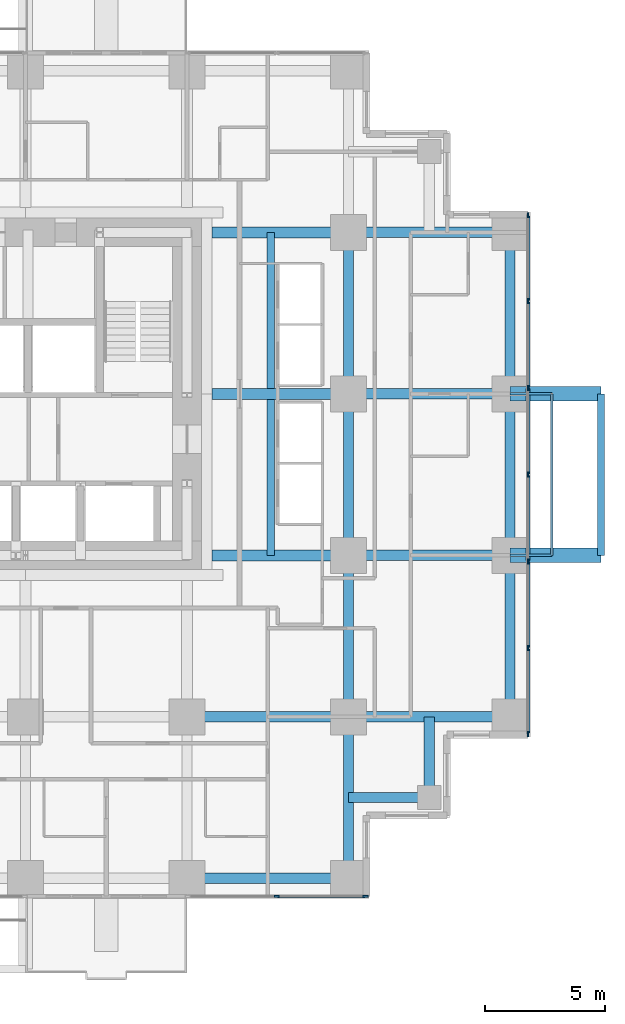
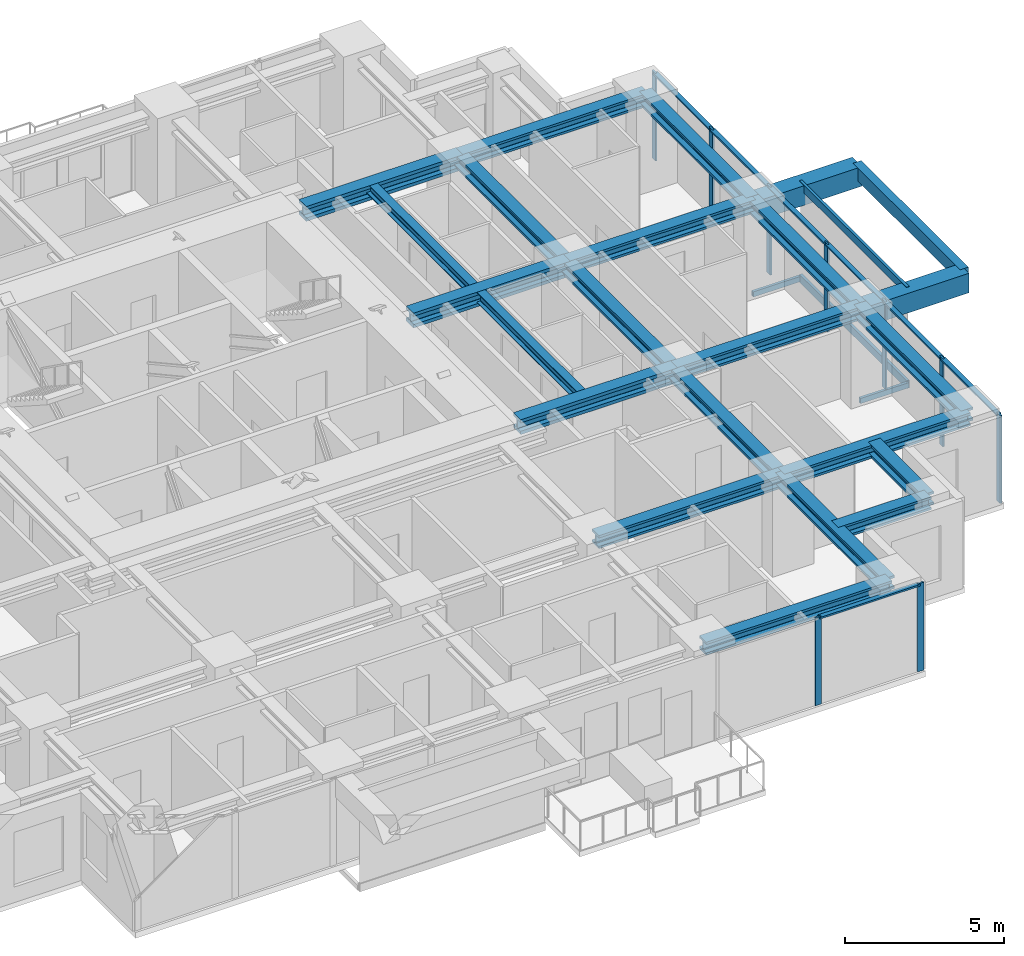
# One storey, part 4 of 12: 23 beams, 20 members, 2 elements without a shape of their own.
"""IFC4 building model written with IfcOpenShell, lengths in metres."""

from ifc_helpers import new_model, si_unit, direction, frame, origin, origin_2d, place, context, subcontext, project, spatial, rectangle, hollow_rectangle, i_section, extrude, material, material_profile, profile_set, type_object, element, aggregate, save


model = new_model("IFC4")

# Units and contexts
model_context = context("Model", 3, precision=1e-05, world=origin(), true_north=direction((0.0, 1.0)))
body_context = subcontext(model_context, "Body", "Model", "MODEL_VIEW")
ifc_project = project(units=[si_unit("LENGTHUNIT", "METRE"), si_unit("AREAUNIT", "SQUARE_METRE"), si_unit("VOLUMEUNIT", "CUBIC_METRE"), si_unit("PLANEANGLEUNIT", "RADIAN"), si_unit("MASSUNIT", "GRAM", prefix="KILO")], contexts=[model_context])

# Site, building, storey
site_placement = place(None, origin())
site = spatial("IfcSite", under=ifc_project, at=site_placement, CompositionType="ELEMENT")
building_placement = place(site_placement, origin())
building = spatial("IfcBuilding", under=site, at=building_placement, Name="Nyansa Garden Tower", CompositionType="ELEMENT")
storey_placement = place(building_placement, frame((0.0, 0.0, 112.5)))
storey = spatial("IfcBuildingStorey", under=building, at=storey_placement, Name="L30", CompositionType="ELEMENT", Elevation=112.5)

# Beams
ifc_material_1 = material(Name="Concrete C70/85", Category="concrete")
ifc_material_profile_1 = material_profile(ifc_material_1, rectangle(XDim=0.60009765625, YDim=0.75, at=origin_2d()), Name="RC 600x750")
ifc_profile_set_1 = profile_set([ifc_material_profile_1], Name="Concrete C70/85")
beam_type_1 = type_object("IfcBeamType", Name="Balcony cantilever beam CB1 RC 600x750", PredefinedType="BEAM", material=ifc_profile_set_1)
for number, where, z_axis, x_axis, name in (
    (1, (40.5, 13.5, 2.985107421875), (1.0, 0.0, 0.0), (0.0, 1.0, 0.0), "Balcony cantilever beam L31"),
    (2, (40.5, 20.25, 2.985107421875), (1.0, 0.0, 0.0), (0.0, 1.0, 0.0), "Balcony cantilever beam L31"),
):
    element("IfcBeam", number, at=place(storey_placement, frame(where, z_axis=z_axis, x_axis=x_axis)), inside=storey, type_object=beam_type_1, Name=name, PredefinedType="BEAM", context=body_context, shape_type="SweptSolid", body=[
        extrude(rectangle(XDim=0.60009765625, YDim=0.75, at=origin_2d()), origin(), (0.0, 0.0, 1.0), 3.800048828125),
    ])
ifc_material_2 = material(Name="Concrete C70/85", Category="concrete")
ifc_material_profile_2 = material_profile(ifc_material_2, rectangle(XDim=0.300048828125, YDim=0.5, at=origin_2d()), Name="RC 300x500")
ifc_profile_set_2 = profile_set([ifc_material_profile_2], Name="Concrete C70/85")
beam_type_2 = type_object("IfcBeamType", Name="Balcony edge beam BE1 RC 300x500", PredefinedType="BEAM", material=ifc_profile_set_2)
beam_placement = place(storey_placement, frame((44.300048828125, 13.5, 3.110107421875), z_axis=(0.0, 1.0, 0.0), x_axis=(-1.0, 0.0, 0.0)))
element("IfcBeam", 3, at=beam_placement, inside=storey, type_object=beam_type_2, Name="Balcony edge beam L31", PredefinedType="BEAM", context=body_context, shape_type="SweptSolid", body=[
    extrude(rectangle(XDim=0.300048828125, YDim=0.5, at=origin_2d()), origin(), (0.0, 0.0, 1.0), 6.75),
])

# Curtain wall, members
ifc_material_3 = material(Name="Black anodised aluminium, dark tinted double glazing", Category="aluminium")
curtain_wall_type = type_object("IfcCurtainWallType", Name="Inner skin curtain wall ISW-B", PredefinedType="USERDEFINED", material=ifc_material_3)
curtain_wall_1_placement = place(storey_placement, origin())
curtain_wall_1 = element("IfcCurtainWall", 4, at=curtain_wall_1_placement, inside=storey, type_object=curtain_wall_type, Name="Inner skin curtain wall L30 E", ObjectType="UNITISED CURTAIN WALL", PredefinedType="USERDEFINED")
ifc_material_4 = material(Name="Black anodised aluminium", Category="aluminium")
ifc_material_profile_3 = material_profile(ifc_material_4, rectangle(XDim=0.06494140625, YDim=0.22509765625, at=origin_2d()), Name="Mullion 225x65")
ifc_profile_set_3 = profile_set([ifc_material_profile_3], Name="Black anodised aluminium")
member_type_1 = type_object("IfcMemberType", Name="Mullion ISW-B 225x65", PredefinedType="MULLION", material=ifc_profile_set_3)
member_1_placement = place(storey_placement, frame((41.25, 6.032470703125, 0.0), z_axis=(0.0, 0.0, 1.0), x_axis=(-1.0, 0.0, 0.0)))
member_1 = element("IfcMember", 5, at=member_1_placement, type_object=member_type_1, Name="ISW-B mullion 1", PredefinedType="MULLION", context=body_context, shape_type="SweptSolid", body=[
    extrude(rectangle(XDim=0.06494140625, YDim=0.22509765625, at=origin_2d()), origin(), (0.0, 0.0, 1.0), 3.375),
])
member_2_placement = place(storey_placement, frame((41.25, 9.625, 0.0), z_axis=(0.0, 0.0, 1.0), x_axis=(-1.0, 0.0, 0.0)))
member_2 = element("IfcMember", 6, at=member_2_placement, type_object=member_type_1, Name="ISW-B mullion 2", PredefinedType="MULLION", context=body_context, shape_type="SweptSolid", body=[
    extrude(rectangle(XDim=0.06494140625, YDim=0.22509765625, at=origin_2d()), origin(), (0.0, 0.0, 1.0), 3.375),
])
member_3_placement = place(storey_placement, frame((41.25, 13.25, 0.0), z_axis=(0.0, 0.0, 1.0), x_axis=(-1.0, 0.0, 0.0)))
member_3 = element("IfcMember", 7, at=member_3_placement, type_object=member_type_1, Name="ISW-B mullion 3", PredefinedType="MULLION", context=body_context, shape_type="SweptSolid", body=[
    extrude(rectangle(XDim=0.06494140625, YDim=0.22509765625, at=origin_2d()), origin(), (0.0, 0.0, 1.0), 3.375),
])
member_4_placement = place(storey_placement, frame((41.25, 16.875, 0.0), z_axis=(0.0, 0.0, 1.0), x_axis=(-1.0, 0.0, 0.0)))
member_4 = element("IfcMember", 8, at=member_4_placement, type_object=member_type_1, Name="ISW-B mullion 4", PredefinedType="MULLION", context=body_context, shape_type="SweptSolid", body=[
    extrude(rectangle(XDim=0.06494140625, YDim=0.22509765625, at=origin_2d()), origin(), (0.0, 0.0, 1.0), 3.375),
])
member_5_placement = place(storey_placement, frame((41.25, 20.5, 0.0), z_axis=(0.0, 0.0, 1.0), x_axis=(-1.0, 0.0, 0.0)))
member_5 = element("IfcMember", 9, at=member_5_placement, type_object=member_type_1, Name="ISW-B mullion 5", PredefinedType="MULLION", context=body_context, shape_type="SweptSolid", body=[
    extrude(rectangle(XDim=0.06494140625, YDim=0.22509765625, at=origin_2d()), origin(), (0.0, 0.0, 1.0), 3.375),
])
member_6_placement = place(storey_placement, frame((41.25, 24.125, 0.0), z_axis=(0.0, 0.0, 1.0), x_axis=(-1.0, 0.0, 0.0)))
member_6 = element("IfcMember", 10, at=member_6_placement, type_object=member_type_1, Name="ISW-B mullion 6", PredefinedType="MULLION", context=body_context, shape_type="SweptSolid", body=[
    extrude(rectangle(XDim=0.06494140625, YDim=0.22509765625, at=origin_2d()), origin(), (0.0, 0.0, 1.0), 3.375),
])
member_7_placement = place(storey_placement, frame((41.25, 27.717529296875, 0.0), z_axis=(0.0, 0.0, 1.0), x_axis=(-1.0, 0.0, 0.0)))
member_7 = element("IfcMember", 11, at=member_7_placement, type_object=member_type_1, Name="ISW-B mullion 7", PredefinedType="MULLION", context=body_context, shape_type="SweptSolid", body=[
    extrude(rectangle(XDim=0.06494140625, YDim=0.22509765625, at=origin_2d()), origin(), (0.0, 0.0, 1.0), 3.375),
])

curtain_wall_2_placement = place(storey_placement, origin())
curtain_wall_2 = element("IfcCurtainWall", 12, at=curtain_wall_2_placement, inside=storey, type_object=curtain_wall_type, Name="Inner skin curtain wall L30 S", ObjectType="UNITISED CURTAIN WALL", PredefinedType="USERDEFINED")
member_8_placement = place(storey_placement, frame((30.75, -0.75, 0.0), z_axis=(0.0, 0.0, 1.0), x_axis=(0.0, 1.0, 0.0)))
member_8 = element("IfcMember", 13, at=member_8_placement, type_object=member_type_1, Name="ISW-B mullion 2", PredefinedType="MULLION", context=body_context, shape_type="SweptSolid", body=[
    extrude(rectangle(XDim=0.06494140625, YDim=0.22509765625, at=origin_2d()), origin(), (0.0, 0.0, 1.0), 3.375),
])
member_9_placement = place(storey_placement, frame((34.467529296875, -0.75, 0.0), z_axis=(0.0, 0.0, 1.0), x_axis=(0.0, 1.0, 0.0)))
member_9 = element("IfcMember", 14, at=member_9_placement, type_object=member_type_1, Name="ISW-B mullion 3", PredefinedType="MULLION", context=body_context, shape_type="SweptSolid", body=[
    extrude(rectangle(XDim=0.06494140625, YDim=0.22509765625, at=origin_2d()), origin(), (0.0, 0.0, 1.0), 3.375),
])

# Members
ifc_material_5 = material(Name="Steel S355, black powder coated", Category="steel")
ifc_material_profile_4 = material_profile(ifc_material_5, hollow_rectangle(XDim=0.10009765625, YDim=0.199951171875, WallThickness=0.008056640625, at=origin_2d()), Name="RHS 200x100x8")
ifc_profile_set_4 = profile_set([ifc_material_profile_4], Name="Steel S355, black powder coated")
member_type_2 = type_object("IfcMemberType", Name="Outer skin bracket arm RHS 200x100x8", PredefinedType="USERDEFINED", material=ifc_profile_set_4)
for number, where, z_axis, x_axis, name in (
    (15, (40.5, 13.5, -0.375), (1.0, 0.0, 0.0), (0.0, 1.0, 0.0), "Outer skin bracket arm"),
    (16, (40.5, 20.25, -0.375), (1.0, 0.0, 0.0), (0.0, 1.0, 0.0), "Outer skin bracket arm"),
):
    element("IfcMember", number, at=place(storey_placement, frame(where, z_axis=z_axis, x_axis=x_axis)), inside=storey, type_object=member_type_2, Name=name, ObjectType="OUTER SKIN BRACKET", PredefinedType="USERDEFINED", context=body_context, shape_type="SweptSolid", body=[
        extrude(hollow_rectangle(XDim=0.10009765625, YDim=0.199951171875, WallThickness=0.008056640625, at=origin_2d()), origin(), (0.0, 0.0, 1.0), 1.75),
    ])
ifc_material_6 = material(Name="Steel S355, black powder coated", Category="steel")
ifc_material_profile_5 = material_profile(ifc_material_6, hollow_rectangle(XDim=0.10009765625, YDim=0.300048828125, WallThickness=0.010009765625, at=origin_2d()), Name="RHS 300x100x10")
ifc_profile_set_5 = profile_set([ifc_material_profile_5], Name="Steel S355, black powder coated")
member_type_3 = type_object("IfcMemberType", Name="Outer skin rail RHS 300x100x10", PredefinedType="USERDEFINED", material=ifc_profile_set_5)
for number, where, z_axis, x_axis, name in (
    (17, (42.25, 13.5, -0.375), (0.0, 1.0, 0.0), (-1.0, 0.0, 0.0), "Outer skin rail L30"),
    (18, (42.25, 13.5, 3.22509765625), (0.0, 1.0, 0.0), (-1.0, 0.0, 0.0), "Outer skin rail L30 head"),
):
    element("IfcMember", number, at=place(storey_placement, frame(where, z_axis=z_axis, x_axis=x_axis)), inside=storey, type_object=member_type_3, Name=name, ObjectType="OUTER SKIN RAIL", PredefinedType="USERDEFINED", context=body_context, shape_type="SweptSolid", body=[
        extrude(hollow_rectangle(XDim=0.10009765625, YDim=0.300048828125, WallThickness=0.010009765625, at=origin_2d()), origin(), (0.0, 0.0, 1.0), 6.75),
    ])

# Beams
ifc_material_7 = material(Name="Steel S355", Category="steel")
ifc_material_profile_6 = material_profile(ifc_material_7, i_section(OverallWidth=0.431884765625, OverallDepth=0.498046875, WebThickness=0.0556640625, FlangeThickness=0.0888671875, FilletRadius=0.014892578125, at=origin_2d()), Name="HD 400x744")
ifc_profile_set_6 = profile_set([ifc_material_profile_6], Name="Steel S355")
beam_type_3 = type_object("IfcBeamType", Name="Steel beam SBB1-744 HD 400x744", PredefinedType="BEAM", material=ifc_profile_set_6)
for number, where, z_axis, x_axis, name in (
    (19, (27.0, 6.75, 3.1259765625), (1.0, 0.0, 0.0), (0.0, 1.0, 0.0), "Steel beam 6/E-7/E L31"),
    (20, (33.75, 0.0, 3.1259765625), (0.0, 1.0, 0.0), (-1.0, 0.0, 0.0), "Steel beam 7/D-7/E L31"),
    (21, (33.75, 6.75, 3.1259765625), (0.0, 1.0, 0.0), (-1.0, 0.0, 0.0), "Steel beam 7/E-7/F L31"),
    (22, (33.75, 6.75, 3.1259765625), (1.0, 0.0, 0.0), (0.0, 1.0, 0.0), "Steel beam 7/E-8/E L31"),
    (23, (33.75, 13.5, 3.1259765625), (0.0, 1.0, 0.0), (-1.0, 0.0, 0.0), "Steel beam 7/F-7/G L31"),
    (24, (33.75, 13.5, 3.1259765625), (1.0, 0.0, 0.0), (0.0, 1.0, 0.0), "Steel beam 7/F-8/F L31"),
    (25, (33.75, 20.25, 3.1259765625), (0.0, 1.0, 0.0), (-1.0, 0.0, 0.0), "Steel beam 7/G-7/H L31"),
    (26, (33.75, 20.25, 3.1259765625), (1.0, 0.0, 0.0), (0.0, 1.0, 0.0), "Steel beam 7/G-8/G L31"),
    (27, (33.75, 27.0, 3.1259765625), (1.0, 0.0, 0.0), (0.0, 1.0, 0.0), "Steel beam 7/H-8/H L31"),
):
    element("IfcBeam", number, at=place(storey_placement, frame(where, z_axis=z_axis, x_axis=x_axis)), inside=storey, type_object=beam_type_3, Name=name, PredefinedType="BEAM", context=body_context, shape_type="SweptSolid", body=[
        extrude(i_section(OverallWidth=0.431884765625, OverallDepth=0.498046875, WebThickness=0.0556640625, FlangeThickness=0.0888671875, FilletRadius=0.014892578125, at=origin_2d()), origin(), (0.0, 0.0, 1.0), 6.75),
    ])
ifc_material_8 = material(Name="Steel S355", Category="steel")
ifc_material_profile_7 = material_profile(ifc_material_8, i_section(OverallWidth=0.4541015625, OverallDepth=0.569091796875, WebThickness=0.077880859375, FlangeThickness=0.125, FilletRadius=0.014892578125, at=origin_2d()), Name="HD 400x1086")
ifc_profile_set_7 = profile_set([ifc_material_profile_7], Name="Steel S355")
beam_type_4 = type_object("IfcBeamType", Name="Steel beam SCL-1086 HD 400x1086", PredefinedType="BEAM", material=ifc_profile_set_7)
for number, where, z_axis, x_axis, name in (
    (28, (28.050048828125, 13.5, 3.090576171875), (1.0, 0.0, 0.0), (0.0, 1.0, 0.0), "Steel beam 28.050/F-7/F L31"),
    (29, (28.050048828125, 20.25, 3.090576171875), (1.0, 0.0, 0.0), (0.0, 1.0, 0.0), "Steel beam 28.050/G-7/G L31"),
    (30, (28.050048828125, 27.0, 3.090576171875), (1.0, 0.0, 0.0), (0.0, 1.0, 0.0), "Steel beam 28.050/H-7/H L31"),
):
    element("IfcBeam", number, at=place(storey_placement, frame(where, z_axis=z_axis, x_axis=x_axis)), inside=storey, type_object=beam_type_4, Name=name, PredefinedType="BEAM", context=body_context, shape_type="SweptSolid", body=[
        extrude(i_section(OverallWidth=0.4541015625, OverallDepth=0.569091796875, WebThickness=0.077880859375, FlangeThickness=0.125, FilletRadius=0.014892578125, at=origin_2d()), origin(), (0.0, 0.0, 1.0), 5.699951171875),
    ])
ifc_material_9 = material(Name="Steel S355", Category="steel")
ifc_material_profile_8 = material_profile(ifc_material_9, i_section(OverallWidth=0.431884765625, OverallDepth=0.498046875, WebThickness=0.0556640625, FlangeThickness=0.0888671875, FilletRadius=0.014892578125, at=origin_2d()), Name="HD 400x744")
ifc_profile_set_8 = profile_set([ifc_material_profile_8], Name="Steel S355")
beam_type_5 = type_object("IfcBeamType", Name="Steel beam SEBB-744 HD 400x744", PredefinedType="BEAM", material=ifc_profile_set_8)
for number, where, z_axis, x_axis, name in (
    (31, (27.0, 0.0, 3.1259765625), (1.0, 0.0, 0.0), (0.0, 1.0, 0.0), "Steel edge beam 6/D-7/D L31"),
    (32, (40.5, 6.75, 3.1259765625), (0.0, 1.0, 0.0), (-1.0, 0.0, 0.0), "Steel edge beam 8/E-8/F L31"),
    (33, (40.5, 13.5, 3.1259765625), (0.0, 1.0, 0.0), (-1.0, 0.0, 0.0), "Steel edge beam 8/F-8/G L31"),
    (34, (40.5, 20.25, 3.1259765625), (0.0, 1.0, 0.0), (-1.0, 0.0, 0.0), "Steel edge beam 8/G-8/H L31"),
):
    element("IfcBeam", number, at=place(storey_placement, frame(where, z_axis=z_axis, x_axis=x_axis)), inside=storey, type_object=beam_type_5, Name=name, PredefinedType="BEAM", context=body_context, shape_type="SweptSolid", body=[
        extrude(i_section(OverallWidth=0.431884765625, OverallDepth=0.498046875, WebThickness=0.0556640625, FlangeThickness=0.0888671875, FilletRadius=0.014892578125, at=origin_2d()), origin(), (0.0, 0.0, 1.0), 6.75),
    ])
ifc_material_10 = material(Name="Steel S355", Category="steel")
ifc_material_profile_9 = material_profile(ifc_material_10, i_section(OverallWidth=0.431884765625, OverallDepth=0.498046875, WebThickness=0.0556640625, FlangeThickness=0.0888671875, FilletRadius=0.014892578125, at=origin_2d()), Name="HD 400x744")
ifc_profile_set_9 = profile_set([ifc_material_profile_9], Name="Steel S355")
beam_type_6 = type_object("IfcBeamType", Name="Steel beam SSB1-744 HD 400x744", PredefinedType="BEAM", material=ifc_profile_set_9)
for number, where, z_axis, x_axis, name in (
    (35, (37.125, 3.375, 3.1259765625), (0.0, 1.0, 0.0), (-1.0, 0.0, 0.0), "Steel step beam 37.125/3.375 L31"),
    (36, (37.125, 3.375, 3.1259765625), (-1.0, 0.0, 0.0), (0.0, -1.0, 0.0), "Steel step beam 37.125/3.375 L31"),
):
    element("IfcBeam", number, at=place(storey_placement, frame(where, z_axis=z_axis, x_axis=x_axis)), inside=storey, type_object=beam_type_6, Name=name, PredefinedType="BEAM", context=body_context, shape_type="SweptSolid", body=[
        extrude(i_section(OverallWidth=0.431884765625, OverallDepth=0.498046875, WebThickness=0.0556640625, FlangeThickness=0.0888671875, FilletRadius=0.014892578125, at=origin_2d()), origin(), (0.0, 0.0, 1.0), 3.375),
    ])

# Member
ifc_material_11 = material(Name="Black anodised aluminium", Category="aluminium")
ifc_material_profile_10 = material_profile(ifc_material_11, rectangle(XDim=0.1650390625, YDim=0.06494140625, at=origin_2d()), Name="Transom 165x65")
ifc_profile_set_10 = profile_set([ifc_material_profile_10], Name="Black anodised aluminium")
member_type_4 = type_object("IfcMemberType", Name="Transom ISW-B 165x65", PredefinedType="USERDEFINED", material=ifc_profile_set_10)
member_10_placement = place(storey_placement, frame((41.25, 6.06494140625, 3.342529296875), z_axis=(0.0, 1.0, 0.0), x_axis=(-1.0, 0.0, 0.0)))
member_10 = element("IfcMember", 37, at=member_10_placement, type_object=member_type_4, Name="ISW-B transom 1", ObjectType="TRANSOM", PredefinedType="USERDEFINED", context=body_context, shape_type="SweptSolid", body=[
    extrude(rectangle(XDim=0.1650390625, YDim=0.06494140625, at=origin_2d()), origin(), (0.0, 0.0, 1.0), 3.527587890625),
])

member_11_placement = place(storey_placement, frame((41.25, 9.657470703125, 3.342529296875), z_axis=(0.0, 1.0, 0.0), x_axis=(-1.0, 0.0, 0.0)))
member_11 = element("IfcMember", 38, at=member_11_placement, type_object=member_type_4, Name="ISW-B transom 2", ObjectType="TRANSOM", PredefinedType="USERDEFINED", context=body_context, shape_type="SweptSolid", body=[
    extrude(rectangle(XDim=0.1650390625, YDim=0.06494140625, at=origin_2d()), origin(), (0.0, 0.0, 1.0), 3.56005859375),
])

member_12_placement = place(storey_placement, frame((41.25, 13.282470703125, 3.342529296875), z_axis=(0.0, 1.0, 0.0), x_axis=(-1.0, 0.0, 0.0)))
member_12 = element("IfcMember", 39, at=member_12_placement, type_object=member_type_4, Name="ISW-B transom 3", ObjectType="TRANSOM", PredefinedType="USERDEFINED", context=body_context, shape_type="SweptSolid", body=[
    extrude(rectangle(XDim=0.1650390625, YDim=0.06494140625, at=origin_2d()), origin(), (0.0, 0.0, 1.0), 3.56005859375),
])

member_13_placement = place(storey_placement, frame((41.25, 16.907470703125, 3.342529296875), z_axis=(0.0, 1.0, 0.0), x_axis=(-1.0, 0.0, 0.0)))
member_13 = element("IfcMember", 40, at=member_13_placement, type_object=member_type_4, Name="ISW-B transom 4", ObjectType="TRANSOM", PredefinedType="USERDEFINED", context=body_context, shape_type="SweptSolid", body=[
    extrude(rectangle(XDim=0.1650390625, YDim=0.06494140625, at=origin_2d()), origin(), (0.0, 0.0, 1.0), 3.56005859375),
])

member_14_placement = place(storey_placement, frame((41.25, 20.532470703125, 3.342529296875), z_axis=(0.0, 1.0, 0.0), x_axis=(-1.0, 0.0, 0.0)))
member_14 = element("IfcMember", 41, at=member_14_placement, type_object=member_type_4, Name="ISW-B transom 5", ObjectType="TRANSOM", PredefinedType="USERDEFINED", context=body_context, shape_type="SweptSolid", body=[
    extrude(rectangle(XDim=0.1650390625, YDim=0.06494140625, at=origin_2d()), origin(), (0.0, 0.0, 1.0), 3.56005859375),
])

member_15_placement = place(storey_placement, frame((41.25, 24.157470703125, 3.342529296875), z_axis=(0.0, 1.0, 0.0), x_axis=(-1.0, 0.0, 0.0)))
member_15 = element("IfcMember", 42, at=member_15_placement, type_object=member_type_4, Name="ISW-B transom 6", ObjectType="TRANSOM", PredefinedType="USERDEFINED", context=body_context, shape_type="SweptSolid", body=[
    extrude(rectangle(XDim=0.1650390625, YDim=0.06494140625, at=origin_2d()), origin(), (0.0, 0.0, 1.0), 3.527587890625),
])

aggregate(curtain_wall_1, [member_1, member_2, member_3, member_4, member_5, member_6, member_7, member_10, member_11, member_12, member_13, member_14, member_15])

member_16_placement = place(storey_placement, frame((30.782470703125, -0.75, 3.342529296875), z_axis=(1.0, 0.0, 0.0), x_axis=(0.0, 1.0, 0.0)))
member_16 = element("IfcMember", 43, at=member_16_placement, type_object=member_type_4, Name="ISW-B transom 2", ObjectType="TRANSOM", PredefinedType="USERDEFINED", context=body_context, shape_type="SweptSolid", body=[
    extrude(rectangle(XDim=0.1650390625, YDim=0.06494140625, at=origin_2d()), origin(), (0.0, 0.0, 1.0), 3.652587890625),
])

aggregate(curtain_wall_2, [member_8, member_9, member_16])

# Beams
ifc_material_12 = material(Name="Steel S355", Category="steel")
ifc_material_profile_11 = material_profile(ifc_material_12, i_section(OverallWidth=0.300048828125, OverallDepth=0.39990234375, WebThickness=0.013427734375, FlangeThickness=0.02392578125, FilletRadius=0.027099609375, at=origin_2d()), Name="HE 400 B")
ifc_profile_set_11 = profile_set([ifc_material_profile_11], Name="Steel S355")
beam_type_7 = type_object("IfcBeamType", Name="Trimmer beam TR1 HE 400 B", PredefinedType="BEAM", material=ifc_profile_set_11)
for number, where, z_axis, x_axis, name in (
    (44, (30.5, 13.5, 3.175048828125), (0.0, 1.0, 0.0), (-1.0, 0.0, 0.0), "Trimmer beam 1 L31"),
    (45, (30.5, 20.47705078125, 3.175048828125), (0.0, 1.0, 0.0), (-1.0, 0.0, 0.0), "Trimmer beam 2 L31"),
):
    element("IfcBeam", number, at=place(storey_placement, frame(where, z_axis=z_axis, x_axis=x_axis)), inside=storey, type_object=beam_type_7, Name=name, PredefinedType="BEAM", context=body_context, shape_type="SweptSolid", body=[
        extrude(i_section(OverallWidth=0.300048828125, OverallDepth=0.39990234375, WebThickness=0.013427734375, FlangeThickness=0.02392578125, FilletRadius=0.027099609375, at=origin_2d()), origin(), (0.0, 0.0, 1.0), 6.52294921875),
    ])

save(model, "model.ifc")
